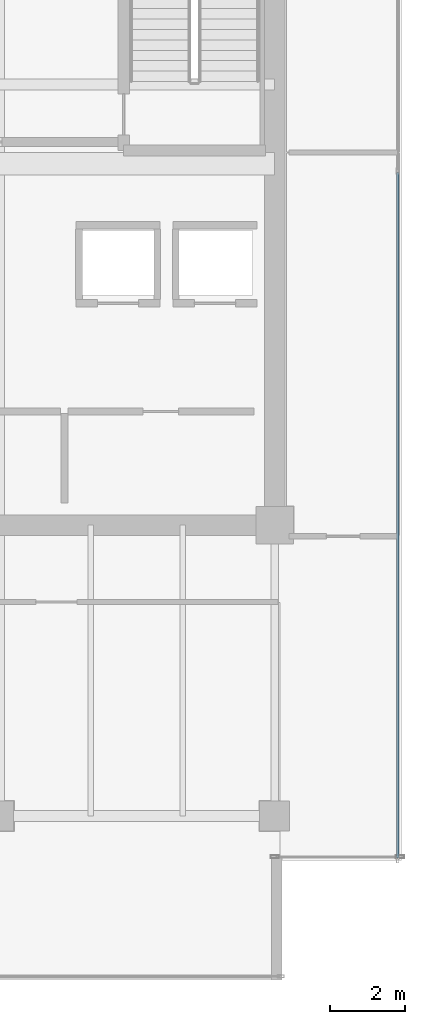
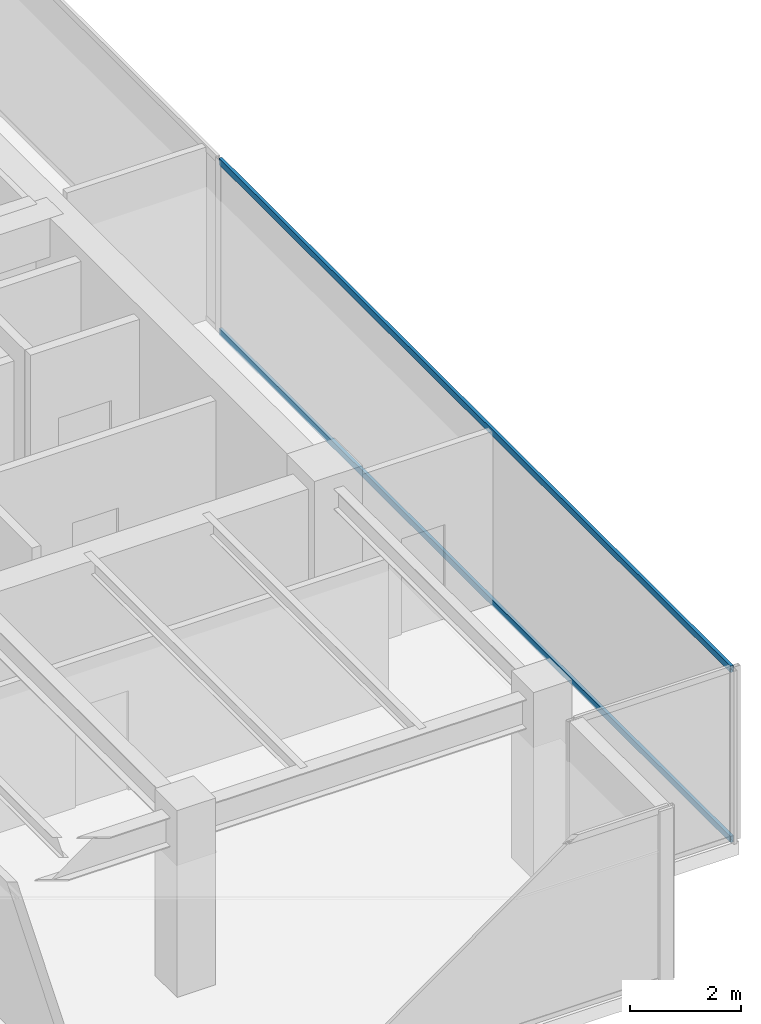
# One storey, part 23 of 35: 2 members, 1 element without a shape of its own.
"""IFC4 building model written with IfcOpenShell, lengths in metres."""

from ifc_helpers import new_model, si_unit, direction, frame, origin, origin_2d, place, context, subcontext, project, spatial, hollow_rectangle, extrude, source, transform, mapped, material, layer, layer_set, material_profile, profile_set, type_object, type_shapes, element, aggregate, save


model = new_model("IFC4")

# Units and contexts
model_context = context("Model", 3, precision=1e-05, world=origin(), true_north=direction((0.0, 1.0)))
body_context = subcontext(model_context, "Body", "Model", "MODEL_VIEW")
ifc_project = project(units=[si_unit("LENGTHUNIT", "METRE"), si_unit("AREAUNIT", "SQUARE_METRE"), si_unit("VOLUMEUNIT", "CUBIC_METRE"), si_unit("PLANEANGLEUNIT", "RADIAN"), si_unit("MASSUNIT", "GRAM", prefix="KILO")], contexts=[model_context])

# Site, building, storey
site_placement = place(None, origin())
site = spatial("IfcSite", under=ifc_project, at=site_placement, CompositionType="ELEMENT")
building_placement = place(site_placement, origin())
building = spatial("IfcBuilding", under=site, at=building_placement, Name="Haelvirn Gate Laboratories", CompositionType="ELEMENT")
storey_placement = place(building_placement, frame((0.0, 0.0, 221.89990234375)))
storey = spatial("IfcBuildingStorey", under=building, at=storey_placement, Name="L53", CompositionType="ELEMENT", Elevation=221.89990234375)

# Curtain wall, members
ifc_material_1 = material(Name="Anodised bronze unitised aluminium & triple low-E glass", Category="aluminium")
ifc_layer = layer(ifc_material_1, 0.176025390625, Name="CW-SYS-4")
ifc_layer_set = layer_set([ifc_layer], Name="Anodised bronze unitised aluminium & triple low-E glass")
curtain_wall_type = type_object("IfcCurtainWallType", Name="CW-SYS-4", PredefinedType="NOTDEFINED", material=ifc_layer_set)
curtain_wall_placement = place(storey_placement, origin())
curtain_wall = element("IfcCurtainWall", 1, at=curtain_wall_placement, inside=storey, type_object=curtain_wall_type, Name="L53 Unitised Curtain Wall CW-L53-P0-E07", PredefinedType="NOTDEFINED")
ifc_material_2 = material(Name="Extruded aluminium 6063-T6 (anodised bronze)", Category="aluminium")
ifc_material_profile = material_profile(ifc_material_2, hollow_rectangle(XDim=0.06494140625, YDim=0.139892578125, WallThickness=0.00390625, at=origin_2d()), Name="CWT-140x65x4")
ifc_profile_set = profile_set([ifc_material_profile], Name="Extruded aluminium 6063-T6 (anodised bronze)")
member_type = type_object("IfcMemberType", Name="CWT-T140", PredefinedType="USERDEFINED", material=ifc_profile_set)
shared_shape = source(origin(), body_context, "Body", "SweptSolid", [
    extrude(hollow_rectangle(XDim=0.06494140625, YDim=0.139892578125, WallThickness=0.00390625, at=origin_2d()), origin(), (0.0, 0.0, 1.0), 18.394775390625),
])
type_shapes(member_type, [shared_shape])
member_1_placement = place(storey_placement, frame((70.699951171875, 5.8701171875, 0.03271484375), z_axis=(0.0, 1.0, 0.0), x_axis=(-1.0, 0.0, 0.0)))
member_1 = element("IfcMember", 2, at=member_1_placement, type_object=member_type, Name="CW4 transom 1.1", ObjectType="TRANSOM", PredefinedType="USERDEFINED", context=body_context, shape_type="MappedRepresentation", body=[
    mapped(shared_shape, transform((0.0, 0.0, 0.0), scale=1.0)),
])
member_2_placement = place(storey_placement, frame((70.699951171875, 5.8701171875, 3.767578125), z_axis=(0.0, 1.0, 0.0), x_axis=(-1.0, 0.0, 0.0)))
member_2 = element("IfcMember", 3, at=member_2_placement, type_object=member_type, Name="CW4 transom 1.2", ObjectType="TRANSOM", PredefinedType="USERDEFINED", context=body_context, shape_type="MappedRepresentation", body=[
    mapped(shared_shape, transform((0.0, 0.0, 0.0), scale=1.0)),
])
aggregate(curtain_wall, [member_1, member_2])

save(model, "model.ifc")
